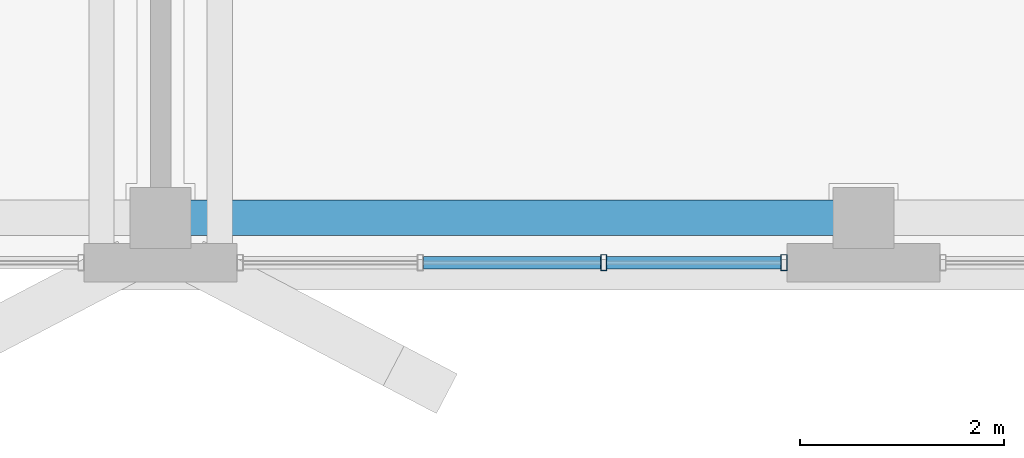
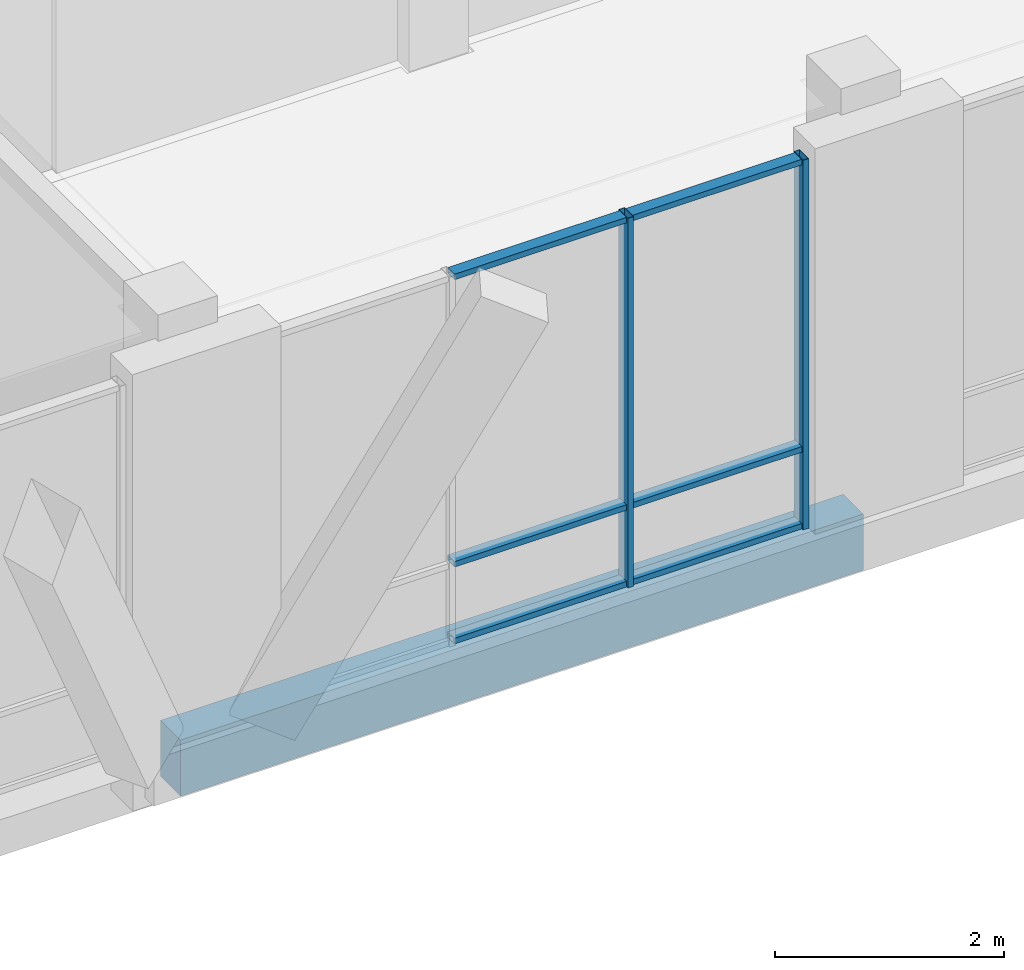
# One storey, part 25 of 233: 8 members, 1 beam, 1 element without a shape of its own.
"""IFC4 building model written with IfcOpenShell, lengths in metres."""

from ifc_helpers import new_model, si_unit, direction, frame, origin, origin_2d, place, context, subcontext, project, spatial, rectangle, hollow_rectangle, extrude, material, material_profile, profile_set, type_object, element, aggregate, save


model = new_model("IFC4")

# Units and contexts
model_context = context("Model", 3, precision=1e-05, world=origin(), true_north=direction((0.0, 1.0)))
body_context = subcontext(model_context, "Body", "Model", "MODEL_VIEW")
ifc_project = project(units=[si_unit("LENGTHUNIT", "METRE"), si_unit("AREAUNIT", "SQUARE_METRE"), si_unit("VOLUMEUNIT", "CUBIC_METRE"), si_unit("PLANEANGLEUNIT", "RADIAN"), si_unit("MASSUNIT", "GRAM", prefix="KILO")], contexts=[model_context])

# Site, building, storey
site_placement = place(None, origin())
site = spatial("IfcSite", under=ifc_project, at=site_placement, CompositionType="ELEMENT")
building_placement = place(site_placement, origin())
building = spatial("IfcBuilding", under=site, at=building_placement, Name="Zavelmont Quarter", CompositionType="ELEMENT")
storey_placement = place(building_placement, origin())
storey = spatial("IfcBuildingStorey", under=building, at=storey_placement, Name="L00", CompositionType="ELEMENT", Elevation=0.0)

# Beam
ifc_material_1 = material(Name="Concrete C35/45", Category="concrete")
ifc_material_profile_1 = material_profile(ifc_material_1, rectangle(XDim=0.35009765625, YDim=0.60009765625, at=origin_2d()), Name="RC350X600")
ifc_profile_set_1 = profile_set([ifc_material_profile_1], Name="Concrete C35/45")
beam_type = type_object("IfcBeamType", Name="BM01", PredefinedType="SPANDREL", material=ifc_profile_set_1)
beam_placement = place(storey_placement, frame((20.699951171875, 0.43994140625, -0.6201171875), z_axis=(1.0, 0.0, 0.0), x_axis=(0.0, 1.0, 0.0)))
element("IfcBeam", 1, at=beam_placement, inside=storey, type_object=beam_type, Name="L00 beam BM01 4/A to 5/A", PredefinedType="SPANDREL", context=body_context, shape_type="SweptSolid", body=[
    extrude(rectangle(XDim=0.35009765625, YDim=0.60009765625, at=origin_2d()), origin(), (0.0, 0.0, 1.0), 6.900146484375),
])

# Curtain wall, members
ifc_material_2 = material(Name="Thermally broken aluminium and double low-E safety glazing", Category="aluminium")
curtain_wall_type = type_object("IfcCurtainWallType", Name="CW-540X395", PredefinedType="NOTDEFINED", material=ifc_material_2)
curtain_wall_placement = place(storey_placement, origin())
curtain_wall = element("IfcCurtainWall", 2, at=curtain_wall_placement, inside=storey, type_object=curtain_wall_type, Name="L00 unitised curtain wall CW-540X395", PredefinedType="NOTDEFINED")
ifc_material_3 = material(Name="Powder-coated aluminium EN AW-6063-T6", Category="aluminium")
ifc_material_profile_2 = material_profile(ifc_material_3, hollow_rectangle(XDim=0.06005859375, YDim=0.159912109375, WallThickness=0.00390625, at=origin_2d()), Name="CWM60X160")
ifc_profile_set_2 = profile_set([ifc_material_profile_2], Name="Powder-coated aluminium EN AW-6063-T6")
member_type_1 = type_object("IfcMemberType", Name="CWM01", PredefinedType="MULLION", material=ifc_profile_set_2)
member_1_placement = place(storey_placement, frame((25.050048828125, 0.0, 0.0), z_axis=(0.0, 0.0, 1.0), x_axis=(1.0, 0.0, 0.0)))
member_1 = element("IfcMember", 3, at=member_1_placement, type_object=member_type_1, Name="CW-540X395 mullion 3", PredefinedType="MULLION", context=body_context, shape_type="SweptSolid", body=[
    extrude(hollow_rectangle(XDim=0.06005859375, YDim=0.159912109375, WallThickness=0.00390625, at=origin_2d()), origin(), (0.0, 0.0, 1.0), 3.949951171875),
])
member_2_placement = place(storey_placement, frame((26.820068359375, 0.0, 0.0), z_axis=(0.0, 0.0, 1.0), x_axis=(1.0, 0.0, 0.0)))
member_2 = element("IfcMember", 4, at=member_2_placement, type_object=member_type_1, Name="CW-540X395 mullion 4", PredefinedType="MULLION", context=body_context, shape_type="SweptSolid", body=[
    extrude(hollow_rectangle(XDim=0.06005859375, YDim=0.159912109375, WallThickness=0.00390625, at=origin_2d()), origin(), (0.0, 0.0, 1.0), 3.949951171875),
])
ifc_material_profile_3 = material_profile(ifc_material_3, hollow_rectangle(XDim=0.1201171875, YDim=0.06005859375, WallThickness=0.00390625, at=origin_2d()), Name="CWT60X120")
ifc_profile_set_3 = profile_set([ifc_material_profile_3], Name="Powder-coated aluminium EN AW-6063-T6")
member_type_2 = type_object("IfcMemberType", Name="CWT01", PredefinedType="NOTDEFINED", material=ifc_profile_set_3)
member_3_placement = place(storey_placement, frame((23.280029296875, 0.0, 0.030029296875), z_axis=(1.0, 0.0, 0.0), x_axis=(0.0, 1.0, 0.0)))
member_3 = element("IfcMember", 5, at=member_3_placement, type_object=member_type_2, Name="CW-540X395 transom 2.1", ObjectType="TRANSOM", PredefinedType="USERDEFINED", context=body_context, shape_type="SweptSolid", body=[
    extrude(hollow_rectangle(XDim=0.1201171875, YDim=0.06005859375, WallThickness=0.00390625, at=origin_2d()), origin(), (0.0, 0.0, 1.0), 1.739990234375),
])
member_4_placement = place(storey_placement, frame((23.280029296875, 0.0, 0.85009765625), z_axis=(1.0, 0.0, 0.0), x_axis=(0.0, 1.0, 0.0)))
member_4 = element("IfcMember", 6, at=member_4_placement, type_object=member_type_2, Name="CW-540X395 transom 2.2", ObjectType="TRANSOM", PredefinedType="USERDEFINED", context=body_context, shape_type="SweptSolid", body=[
    extrude(hollow_rectangle(XDim=0.1201171875, YDim=0.06005859375, WallThickness=0.00390625, at=origin_2d()), origin(), (0.0, 0.0, 1.0), 1.739990234375),
])
member_5_placement = place(storey_placement, frame((23.280029296875, 0.0, 3.919921875), z_axis=(1.0, 0.0, 0.0), x_axis=(0.0, 1.0, 0.0)))
member_5 = element("IfcMember", 7, at=member_5_placement, type_object=member_type_2, Name="CW-540X395 transom 2.3", ObjectType="TRANSOM", PredefinedType="USERDEFINED", context=body_context, shape_type="SweptSolid", body=[
    extrude(hollow_rectangle(XDim=0.1201171875, YDim=0.06005859375, WallThickness=0.00390625, at=origin_2d()), origin(), (0.0, 0.0, 1.0), 1.739990234375),
])
member_6_placement = place(storey_placement, frame((25.080078125, 0.0, 0.030029296875), z_axis=(1.0, 0.0, 0.0), x_axis=(0.0, 1.0, 0.0)))
member_6 = element("IfcMember", 8, at=member_6_placement, type_object=member_type_2, Name="CW-540X395 transom 3.1", ObjectType="TRANSOM", PredefinedType="USERDEFINED", context=body_context, shape_type="SweptSolid", body=[
    extrude(hollow_rectangle(XDim=0.1201171875, YDim=0.06005859375, WallThickness=0.00390625, at=origin_2d()), origin(), (0.0, 0.0, 1.0), 1.7099609375),
])
member_7_placement = place(storey_placement, frame((25.080078125, 0.0, 0.85009765625), z_axis=(1.0, 0.0, 0.0), x_axis=(0.0, 1.0, 0.0)))
member_7 = element("IfcMember", 9, at=member_7_placement, type_object=member_type_2, Name="CW-540X395 transom 3.2", ObjectType="TRANSOM", PredefinedType="USERDEFINED", context=body_context, shape_type="SweptSolid", body=[
    extrude(hollow_rectangle(XDim=0.1201171875, YDim=0.06005859375, WallThickness=0.00390625, at=origin_2d()), origin(), (0.0, 0.0, 1.0), 1.7099609375),
])
member_8_placement = place(storey_placement, frame((25.080078125, 0.0, 3.919921875), z_axis=(1.0, 0.0, 0.0), x_axis=(0.0, 1.0, 0.0)))
member_8 = element("IfcMember", 10, at=member_8_placement, type_object=member_type_2, Name="CW-540X395 transom 3.3", ObjectType="TRANSOM", PredefinedType="USERDEFINED", context=body_context, shape_type="SweptSolid", body=[
    extrude(hollow_rectangle(XDim=0.1201171875, YDim=0.06005859375, WallThickness=0.00390625, at=origin_2d()), origin(), (0.0, 0.0, 1.0), 1.7099609375),
])
aggregate(curtain_wall, [member_1, member_2, member_3, member_4, member_5, member_6, member_7, member_8])

save(model, "model.ifc")
